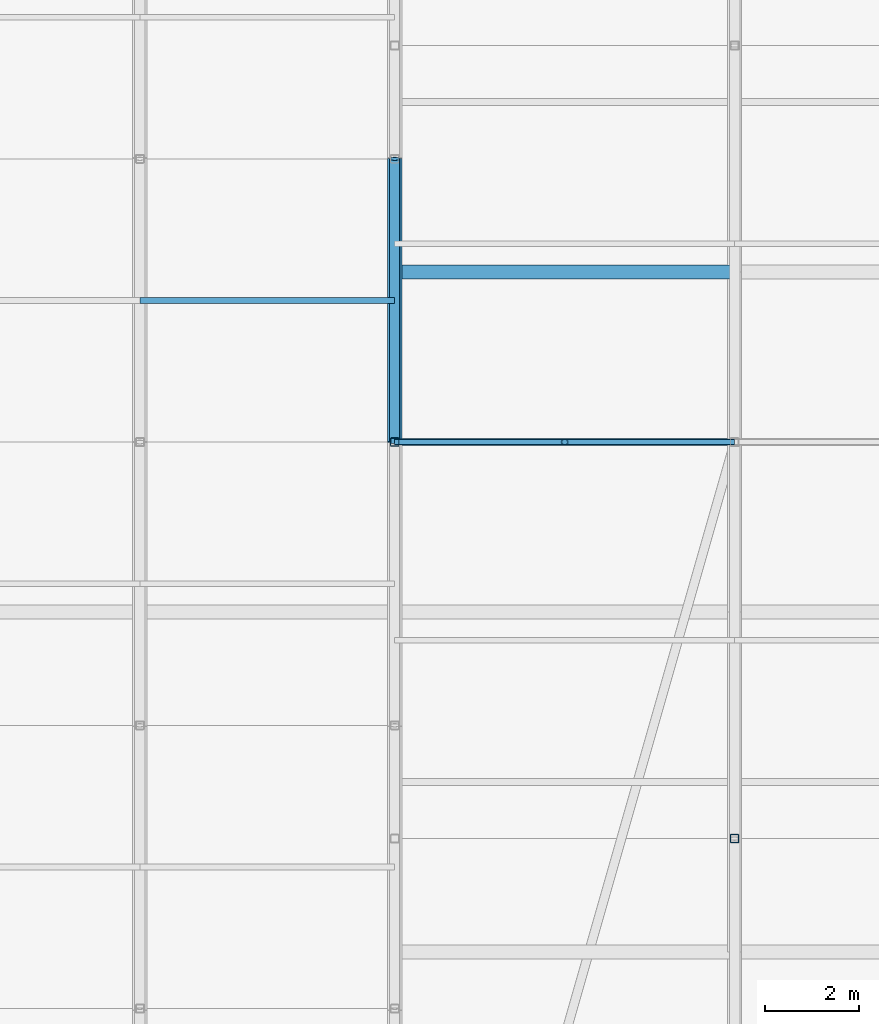
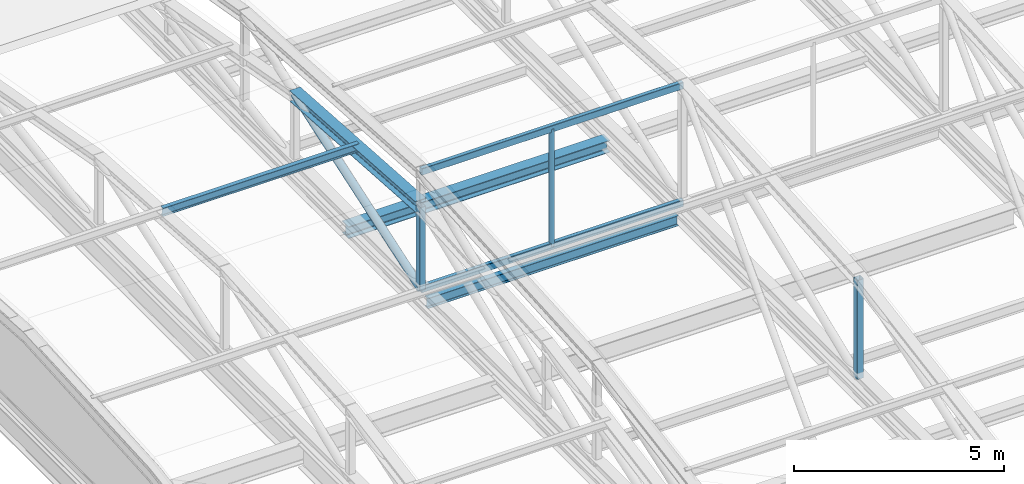
# One storey, part 29 of 76: 7 members, 3 beams.
"""IFC4 building model written with IfcOpenShell, lengths in metres."""

from ifc_helpers import new_model, si_unit, direction, frame, origin, origin_2d, place, context, subcontext, project, spatial, hollow_rectangle, hollow_circle, i_section, extrude, material, material_profile, profile_set, type_object, element, save


model = new_model("IFC4")

# Units and contexts
model_context = context("Model", 3, precision=1e-05, world=origin(), true_north=direction((0.0, 1.0)))
body_context = subcontext(model_context, "Body", "Model", "MODEL_VIEW")
ifc_project = project(units=[si_unit("LENGTHUNIT", "METRE"), si_unit("AREAUNIT", "SQUARE_METRE"), si_unit("VOLUMEUNIT", "CUBIC_METRE"), si_unit("PLANEANGLEUNIT", "RADIAN"), si_unit("MASSUNIT", "GRAM", prefix="KILO")], contexts=[model_context])

# Site, building, storey
site_placement = place(None, origin())
site = spatial("IfcSite", under=ifc_project, at=site_placement, CompositionType="ELEMENT")
building_placement = place(site_placement, origin())
building = spatial("IfcBuilding", under=site, at=building_placement, Name="Zlatovets Crest Museum", CompositionType="ELEMENT")
storey_placement = place(building_placement, frame((0.0, 0.0, 17.10009765625)))
storey = spatial("IfcBuildingStorey", under=building, at=storey_placement, Name="L04", CompositionType="ELEMENT", Elevation=17.10009765625)

# Beams
ifc_material = material(Name="Structural steel S355J2", Category="steel")
ifc_material_profile_1 = material_profile(ifc_material, i_section(OverallWidth=0.300048828125, OverallDepth=0.35009765625, WebThickness=0.010009765625, FlangeThickness=0.017578125, FilletRadius=0.027099609375, at=origin_2d()), Name="HEA 360")
ifc_profile_set_1 = profile_set([ifc_material_profile_1], Name="Structural steel S355J2")
beam_type_1 = type_object("IfcBeamType", Name="Beam_B-03", PredefinedType="BEAM", material=ifc_profile_set_1)
beam_1_placement = place(storey_placement, frame((7.199951171875, 79.199951171875, -0.39501953125), z_axis=(1.0, 0.0, 0.0), x_axis=(0.0, 1.0, 0.0)))
element("IfcBeam", 1, at=beam_1_placement, inside=storey, type_object=beam_type_1, Name="V4 L04 Primary Girder B-03", PredefinedType="BEAM", context=body_context, shape_type="SweptSolid", body=[
    extrude(i_section(OverallWidth=0.300048828125, OverallDepth=0.35009765625, WebThickness=0.010009765625, FlangeThickness=0.017578125, FilletRadius=0.027099609375, at=origin_2d()), origin(), (0.0, 0.0, 1.0), 7.199951171875),
])
ifc_material_profile_2 = material_profile(ifc_material, i_section(OverallWidth=0.14990234375, OverallDepth=0.300048828125, WebThickness=0.007080078125, FlangeThickness=0.0107421875, FilletRadius=0.014892578125, at=origin_2d()), Name="IPE 300")
ifc_profile_set_2 = profile_set([ifc_material_profile_2], Name="Structural steel S355J2")
beam_type_2 = type_object("IfcBeamType", Name="Beam_J-02", PredefinedType="JOIST", material=ifc_profile_set_2)
beam_2_placement = place(storey_placement, frame((7.35009765625, 75.60009765625, -0.3701171875), z_axis=(1.0, 0.0, 0.0), x_axis=(0.0, 1.0, 0.0)))
element("IfcBeam", 2, at=beam_2_placement, inside=storey, type_object=beam_type_2, Name="V4 L04 Composite Joist J-02", PredefinedType="JOIST", context=body_context, shape_type="SweptSolid", body=[
    extrude(i_section(OverallWidth=0.14990234375, OverallDepth=0.300048828125, WebThickness=0.007080078125, FlangeThickness=0.0107421875, FilletRadius=0.014892578125, at=origin_2d()), origin(), (0.0, 0.0, 1.0), 6.89990234375),
])
ifc_material_profile_3 = material_profile(ifc_material, i_section(OverallWidth=0.1201171875, OverallDepth=0.239990234375, WebThickness=0.006103515625, FlangeThickness=0.009765625, FilletRadius=0.014892578125, at=origin_2d()), Name="IPE 240")
ifc_profile_set_3 = profile_set([ifc_material_profile_3], Name="Structural steel S355J2")
beam_type_3 = type_object("IfcBeamType", Name="Beam_PR-01", PredefinedType="BEAM", material=ifc_profile_set_3)
beam_3_placement = place(storey_placement, frame((1.800048828125, 78.60009765625, 2.39892578125), z_axis=(1.0, 0.0, 0.0), x_axis=(0.0, 1.0, 0.0)))
element("IfcBeam", 3, at=beam_3_placement, inside=storey, type_object=beam_type_3, Name="V4 Barrel Vault Longitudinal Purlin", PredefinedType="BEAM", context=body_context, shape_type="SweptSolid", body=[
    extrude(i_section(OverallWidth=0.1201171875, OverallDepth=0.239990234375, WebThickness=0.006103515625, FlangeThickness=0.009765625, FilletRadius=0.014892578125, at=origin_2d()), origin(), (0.0, 0.0, 1.0), 5.39990234375),
])

# Members
ifc_material_profile_4 = material_profile(ifc_material, i_section(OverallWidth=0.300048828125, OverallDepth=0.31005859375, WebThickness=0.009033203125, FlangeThickness=0.015380859375, FilletRadius=0.027099609375, at=origin_2d()), Name="HEA 320")
ifc_profile_set_4 = profile_set([ifc_material_profile_4], Name="Structural steel S355J2")
member_type_1 = type_object("IfcMemberType", Name="Member_TM-02", PredefinedType="RAFTER", material=ifc_profile_set_4)
member_1_placement = place(storey_placement, frame((7.199951171875, 75.60009765625, 2.5), z_axis=(0.0, 0.997761923521, -0.066866613283), x_axis=(-1.0, 0.0, 0.0)))
element("IfcMember", 4, at=member_1_placement, inside=storey, type_object=member_type_1, Name="V4 Art Nouveau Curved Vault Rib", PredefinedType="RAFTER", context=body_context, shape_type="SweptSolid", body=[
    extrude(i_section(OverallWidth=0.300048828125, OverallDepth=0.31005859375, WebThickness=0.009033203125, FlangeThickness=0.015380859375, FilletRadius=0.027099609375, at=origin_2d()), origin(), (0.0, 0.0, 1.0), 6.013427734375),
])
ifc_material_profile_5 = material_profile(ifc_material, hollow_rectangle(XDim=0.179931640625, YDim=0.179931640625, WallThickness=0.010009765625, InnerFilletRadius=0.010009765625, OuterFilletRadius=0.02001953125, at=origin_2d()), Name="SHS 180x180x10.0")
ifc_profile_set_5 = profile_set([ifc_material_profile_5], Name="Structural steel S355J2")
member_type_2 = type_object("IfcMemberType", Name="Member_TM-04", PredefinedType="STRUT", material=ifc_profile_set_5)
member_2_placement = place(storey_placement, frame((14.39990234375, 67.199951171875, 0.079833984375), z_axis=(0.0, 0.0, 1.0), x_axis=(1.0, 0.0, 0.0)))
element("IfcMember", 5, at=member_2_placement, inside=storey, type_object=member_type_2, Name="V4 Barrel Vault Web Strut", PredefinedType="STRUT", context=body_context, shape_type="SweptSolid", body=[
    extrude(hollow_rectangle(XDim=0.179931640625, YDim=0.179931640625, WallThickness=0.010009765625, InnerFilletRadius=0.010009765625, OuterFilletRadius=0.02001953125, at=origin_2d()), origin(), (0.0, 0.0, 1.0), 2.88427734375),
])
member_3_placement = place(storey_placement, frame((7.199951171875, 75.60009765625, 0.079833984375), z_axis=(0.0, 0.0, 1.0), x_axis=(1.0, 0.0, 0.0)))
element("IfcMember", 6, at=member_3_placement, inside=storey, type_object=member_type_2, Name="V4 Barrel Vault Web Strut", PredefinedType="STRUT", context=body_context, shape_type="SweptSolid", body=[
    extrude(hollow_rectangle(XDim=0.179931640625, YDim=0.179931640625, WallThickness=0.010009765625, InnerFilletRadius=0.010009765625, OuterFilletRadius=0.02001953125, at=origin_2d()), origin(), (0.0, 0.0, 1.0), 2.420166015625),
])
ifc_material_profile_6 = material_profile(ifc_material, hollow_circle(Radius=0.109619140625, WallThickness=0.010009765625, at=origin_2d()), Name="CHS 219.1x10.0")
ifc_profile_set_6 = profile_set([ifc_material_profile_6], Name="Structural steel S355J2")
member_type_3 = type_object("IfcMemberType", Name="Member_TM-05", PredefinedType="BRACE", material=ifc_profile_set_6)
member_4_placement = place(storey_placement, frame((7.199951171875, 75.60009765625, 0.079833984375), z_axis=(0.0, 0.947823632503, 0.318795171967), x_axis=(-1.0, 0.0, 0.0)))
element("IfcMember", 7, at=member_4_placement, inside=storey, type_object=member_type_3, Name="V4 Barrel Vault Web Diagonal", PredefinedType="BRACE", context=body_context, shape_type="SweptSolid", body=[
    extrude(hollow_circle(Radius=0.109619140625, WallThickness=0.010009765625, at=origin_2d()), origin(), (0.0, 0.0, 1.0), 6.330322265625),
])
ifc_material_profile_7 = material_profile(ifc_material, hollow_circle(Radius=0.06982421875, WallThickness=0.008056640625, at=origin_2d()), Name="CHS 139.7x8.0")
ifc_profile_set_7 = profile_set([ifc_material_profile_7], Name="Structural steel S355J2")
member_type_4 = type_object("IfcMemberType", Name="Member_TM-11", PredefinedType="STRUT", material=ifc_profile_set_7)
member_5_placement = place(storey_placement, frame((10.800048828125, 75.60009765625, 0.079833984375), z_axis=(0.0, 0.0, 1.0), x_axis=(1.0, 0.0, 0.0)))
element("IfcMember", 8, at=member_5_placement, inside=storey, type_object=member_type_4, Name="Gallery Vault Crown King-Post", PredefinedType="STRUT", context=body_context, shape_type="SweptSolid", body=[
    extrude(hollow_circle(Radius=0.06982421875, WallThickness=0.008056640625, at=origin_2d()), origin(), (0.0, 0.0, 1.0), 3.420166015625),
])
ifc_material_profile_8 = material_profile(ifc_material, hollow_rectangle(XDim=0.1201171875, YDim=0.199951171875, WallThickness=0.008056640625, InnerFilletRadius=0.008056640625, OuterFilletRadius=0.01611328125, at=origin_2d()), Name="RHS 120x200x8.0")
ifc_profile_set_8 = profile_set([ifc_material_profile_8], Name="Structural steel S355J2")
member_type_5 = type_object("IfcMemberType", Name="Member_TM-12", PredefinedType="CHORD", material=ifc_profile_set_8)
for number, where, z_axis, x_axis, name in (
    (9, (7.199951171875, 75.60009765625, 0.079833984375), (1.0, 0.0, 0.0), (0.0, 1.0, 0.0), "Gallery Vault Longitudinal Tie"),
    (10, (7.199951171875, 75.60009765625, 3.5), (1.0, 0.0, 0.0), (0.0, 1.0, 0.0), "Gallery Vault Crown Ridge Tie"),
):
    element("IfcMember", number, at=place(storey_placement, frame(where, z_axis=z_axis, x_axis=x_axis)), inside=storey, type_object=member_type_5, Name=name, PredefinedType="CHORD", context=body_context, shape_type="SweptSolid", body=[
        extrude(hollow_rectangle(XDim=0.1201171875, YDim=0.199951171875, WallThickness=0.008056640625, InnerFilletRadius=0.008056640625, OuterFilletRadius=0.01611328125, at=origin_2d()), origin(), (0.0, 0.0, 1.0), 7.199951171875),
    ])

save(model, "model.ifc")
